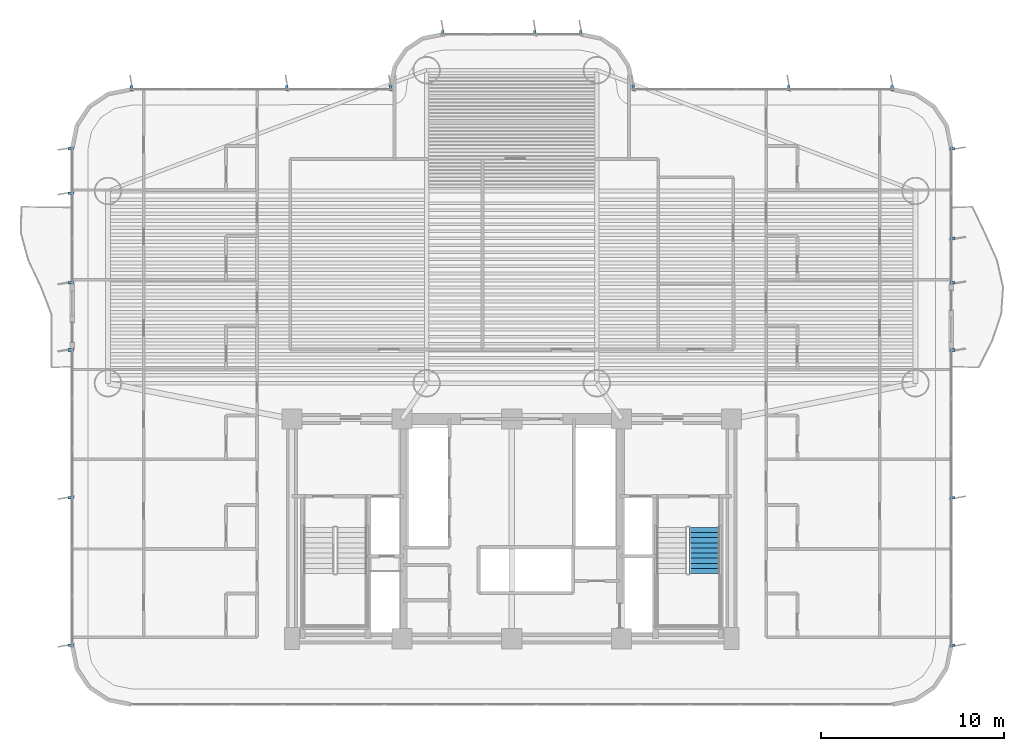
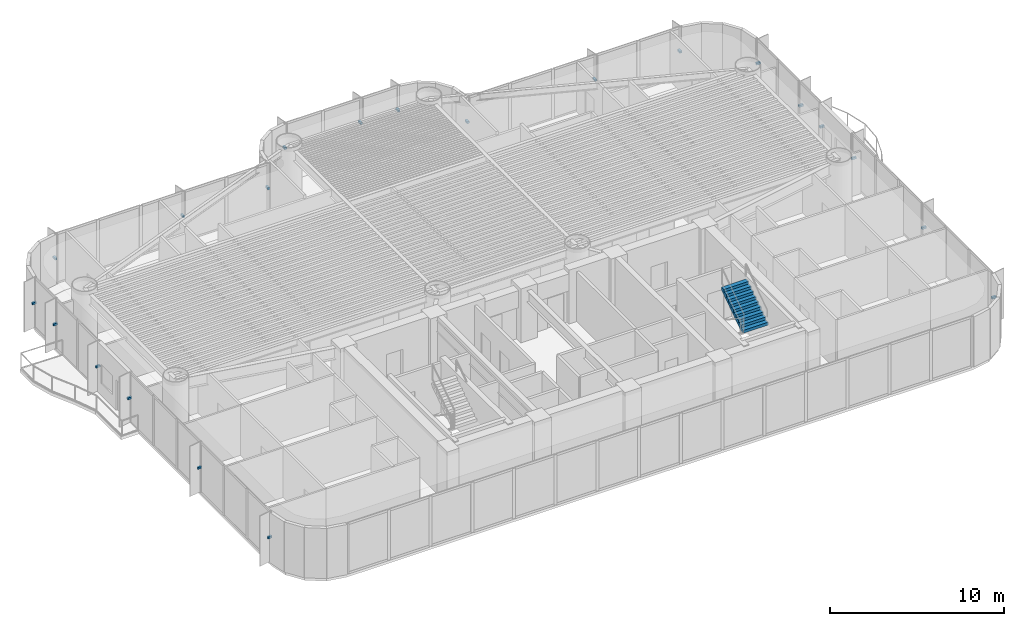
# One storey, part 15 of 19: 21 discrete accessories, 1 stair flight, 1 element without a shape of its own.
"""IFC4 building model written with IfcOpenShell, lengths in metres."""

from ifc_helpers import new_model, si_unit, direction, frame, origin, origin_2d, place, context, subcontext, project, spatial, polyline, rectangle, outline, extrude, source, transform, mapped, material, type_object, element, aggregate, save


model = new_model("IFC4")

# Units and contexts
model_context = context("Model", 3, precision=1e-05, world=origin(), true_north=direction((0.0, 1.0)))
body_context = subcontext(model_context, "Body", "Model", "MODEL_VIEW")
ifc_project = project(units=[si_unit("LENGTHUNIT", "METRE"), si_unit("AREAUNIT", "SQUARE_METRE"), si_unit("VOLUMEUNIT", "CUBIC_METRE"), si_unit("PLANEANGLEUNIT", "RADIAN"), si_unit("MASSUNIT", "GRAM", prefix="KILO")], contexts=[model_context])

# Site, building, storey
site_placement = place(None, origin())
site = spatial("IfcSite", under=ifc_project, at=site_placement, CompositionType="ELEMENT")
building_placement = place(site_placement, origin())
building = spatial("IfcBuilding", under=site, at=building_placement, Name="Brelvock Crest Care Tower", CompositionType="ELEMENT")
storey_placement = place(building_placement, frame((0.0, 0.0, 64.800048828125)))
storey = spatial("IfcBuildingStorey", under=building, at=storey_placement, Name="L16", CompositionType="ELEMENT", Elevation=64.800048828125)

# Stair, stair flight
ifc_material_1 = material(Name="Concrete N40 (40 MPa)", Category="concrete")
stair_type = type_object("IfcStairType", Name="ST-CORE1", PredefinedType="HALF_TURN_STAIR", material=ifc_material_1)
stair_placement = place(storey_placement, origin())
stair = element("IfcStair", 1, at=stair_placement, inside=storey, type_object=stair_type, Name="L16 Fire-Isolated Core Stair ST-2", PredefinedType="HALF_TURN_STAIR")
stair_flight_type = type_object("IfcStairFlightType", Name="STF-1", PredefinedType="STRAIGHT", material=ifc_material_1)
stair_flight_placement = place(storey_placement, frame((46.530029296875, 9.56005859375, 1.889892578125), z_axis=(0.0, 0.0, 1.0), x_axis=(0.0, 1.0, 0.0)))
stair_flight = element("IfcStairFlight", 2, at=stair_flight_placement, type_object=stair_flight_type, Name="ST-2 flight 2", NumberOfRisers=10, NumberOfTreads=9, PredefinedType="STRAIGHT", RiserHeight=0.189, TreadLength=0.28, context=body_context, shape_type="SweptSolid", body=[
    extrude(outline(polyline([(-0.00390625, -0.014892578125), (-0.00390625, -0.0078125), (-0.00390625, -0.00048828125), (-0.00390625, 0.0068359375), (-0.00390625, 0.01416015625), (-0.00390625, 0.021484375), (-0.00390625, 0.02880859375), (-0.00390625, 0.035888671875), (-0.00390625, 0.043212890625), (-0.00390625, 0.050537109375), (-0.00390625, 0.057861328125), (-0.00390625, 0.065185546875), (-0.00390625, 0.072509765625), (-0.00390625, 0.07958984375), (-0.00390625, 0.0869140625), (-0.00390625, 0.09423828125), (-0.00390625, 0.1015625), (-0.00390625, 0.10888671875), (-0.00390625, 0.1162109375), (-0.00390625, 0.12353515625), (-0.00390625, 0.130615234375), (-0.00390625, 0.137939453125), (-0.00390625, 0.145263671875), (-0.00390625, 0.152587890625), (-0.00390625, 0.159912109375), (-0.00390625, 0.167236328125), (-0.00390625, 0.17431640625), (-0.00390625, 0.181640625), (-0.00390625, 0.18896484375), (0.0, 0.18896484375), (0.280029296875, 0.18896484375), (0.280029296875, 0.3779296875), (0.56005859375, 0.3779296875), (0.56005859375, 0.56689453125), (0.840087890625, 0.56689453125), (0.840087890625, 0.756103515625), (1.1201171875, 0.756103515625), (1.1201171875, 0.945068359375), (1.39990234375, 0.945068359375), (1.39990234375, 1.134033203125), (1.679931640625, 1.134033203125), (1.679931640625, 1.322998046875), (1.9599609375, 1.322998046875), (1.9599609375, 1.511962890625), (2.239990234375, 1.511962890625), (2.239990234375, 1.700927734375), (2.52001953125, 1.700927734375), (2.52392578125, 1.700927734375), (2.523681640625, 1.70068359375), (2.52392578125, 1.700439453125), (2.523681640625, 1.699951171875), (2.52392578125, 1.69970703125), (2.523681640625, 1.699462890625), (2.52392578125, 1.698974609375), (2.523681640625, 1.69873046875), (2.52392578125, 1.698486328125), (2.523681640625, 1.697998046875), (2.52392578125, 1.69775390625), (2.523681640625, 1.697509765625), (2.52392578125, 1.697021484375), (2.523681640625, 1.69677734375), (2.52392578125, 1.696533203125), (2.523681640625, 1.6962890625), (2.52392578125, 1.69580078125), (2.523681640625, 1.695556640625), (2.52392578125, 1.6953125), (2.523681640625, 1.69482421875), (2.52392578125, 1.694580078125), (2.523681640625, 1.6943359375), (2.52392578125, 1.69384765625), (2.523681640625, 1.693603515625), (2.52392578125, 1.693359375), (2.523681640625, 1.69287109375), (2.52392578125, 1.692626953125), (2.523681640625, 1.6923828125), (2.52392578125, 1.69189453125), (2.52001953125, 1.520263671875), (0.267822265625, 0.0), (0.0, 0.0), (0.0, -0.014892578125), (-0.00390625, -0.014892578125)])), frame((0.0, 0.83984375, 0.0), z_axis=(0.0, -1.0, 0.0), x_axis=(1.0, 0.0, 0.0)), (0.0, 0.0, 1.0), 1.679931640625),
])
aggregate(stair, [stair_flight])

# Discrete accessories
ifc_material_2 = material(Name="Steel Grade 350", Category="steel")
discrete_accessory_type = type_object("IfcDiscreteAccessoryType", Name="ACC-BRK1", PredefinedType="BRACKET", material=ifc_material_2)
shared_shape = source(origin(), body_context, "Body", "SweptSolid", [
    extrude(rectangle(XDim=0.280029296875, YDim=0.139892578125, at=origin_2d()), origin(), (0.0, 0.0, 1.0), 0.139892578125),
])
for number, where, z_axis, x_axis, name in (
    (3, (60.080078125, 32.767578125, 1.69482421875), (0.0, 0.0, 1.0), (1.0, 0.0, 0.0), "L16 Facade Fin Bracket E03A-01"),
    (4, (60.080078125, 27.86669921875, 1.69482421875), (0.0, 0.0, 1.0), (1.0, 0.0, 0.0), "L16 Facade Fin Bracket E03A-03"),
    (5, (60.080078125, 25.4326171875, 1.69482421875), (0.0, 0.0, 1.0), (1.0, 0.0, 0.0), "L16 Facade Fin Bracket E03A-04"),
    (6, (60.080078125, 21.767578125, 1.69482421875), (0.0, 0.0, 1.0), (1.0, 0.0, 0.0), "L16 Facade Fin Bracket E03B-01"),
    (7, (60.080078125, 13.699951171875, 1.69482421875), (0.0, 0.0, 1.0), (1.0, 0.0, 0.0), "L16 Facade Fin Bracket E03B-04"),
    (8, (60.080078125, 5.632568359375, 1.69482421875), (0.0, 0.0, 1.0), (1.0, 0.0, 0.0), "L16 Facade Fin Bracket E03B-07"),
    (9, (11.919921875, 5.632568359375, 1.69482421875), (0.0, 0.0, 1.0), (-1.0, 0.0, 0.0), "L16 Facade Fin Bracket E13A-01"),
    (10, (11.919921875, 13.699951171875, 1.69482421875), (0.0, 0.0, 1.0), (-1.0, 0.0, 0.0), "L16 Facade Fin Bracket E13A-04"),
    (11, (11.919921875, 21.767578125, 1.69482421875), (0.0, 0.0, 1.0), (-1.0, 0.0, 0.0), "L16 Facade Fin Bracket E13A-07"),
    (12, (11.919921875, 25.4326171875, 1.69482421875), (0.0, 0.0, 1.0), (-1.0, 0.0, 0.0), "L16 Facade Fin Bracket E13B-01"),
    (13, (11.919921875, 30.333251953125, 1.69482421875), (0.0, 0.0, 1.0), (-1.0, 0.0, 0.0), "L16 Facade Fin Bracket E13B-03"),
    (14, (11.919921875, 32.767578125, 1.69482421875), (0.0, 0.0, 1.0), (-1.0, 0.0, 0.0), "L16 Facade Fin Bracket E13B-04"),
    (15, (15.232421875, 36.080078125, 1.69482421875), (0.0, 0.0, 1.0), (0.0, 1.0, 0.0), "L16 Facade Fin Bracket E18-01"),
    (16, (23.719970703125, 36.080078125, 1.69482421875), (0.0, 0.0, 1.0), (0.0, 1.0, 0.0), "L16 Facade Fin Bracket E18-04"),
    (17, (29.367431640625, 36.080078125, 1.69482421875), (0.0, 0.0, 1.0), (0.0, 1.0, 0.0), "L16 Facade Fin Bracket E18-06"),
    (18, (32.232421875, 39.080078125, 1.69482421875), (0.0, 0.0, 1.0), (0.0, 1.0, 0.0), "L16 Facade Fin Bracket E24-01"),
    (19, (37.2666015625, 39.080078125, 1.69482421875), (0.0, 0.0, 1.0), (0.0, 1.0, 0.0), "L16 Facade Fin Bracket E24-03"),
    (20, (39.767578125, 39.080078125, 1.69482421875), (0.0, 0.0, 1.0), (0.0, 1.0, 0.0), "L16 Facade Fin Bracket E24-04"),
    (21, (42.632568359375, 36.080078125, 1.69482421875), (0.0, 0.0, 1.0), (0.0, 1.0, 0.0), "L16 Facade Fin Bracket E30-01"),
    (22, (51.1201171875, 36.080078125, 1.69482421875), (0.0, 0.0, 1.0), (0.0, 1.0, 0.0), "L16 Facade Fin Bracket E30-04"),
    (23, (56.767578125, 36.080078125, 1.69482421875), (0.0, 0.0, 1.0), (0.0, 1.0, 0.0), "L16 Facade Fin Bracket E30-06"),
):
    element("IfcDiscreteAccessory", number, at=place(storey_placement, frame(where, z_axis=z_axis, x_axis=x_axis)), inside=storey, type_object=discrete_accessory_type, Name=name, PredefinedType="BRACKET", context=body_context, shape_type="MappedRepresentation", body=[
        mapped(shared_shape, transform((0.0, 0.0, 0.0), x_axis=(1.0, 0.0, 0.0), y_axis=(0.0, 1.0, 0.0), z_axis=(0.0, 0.0, 1.0), scale=1.0)),
    ])

save(model, "model.ifc")
